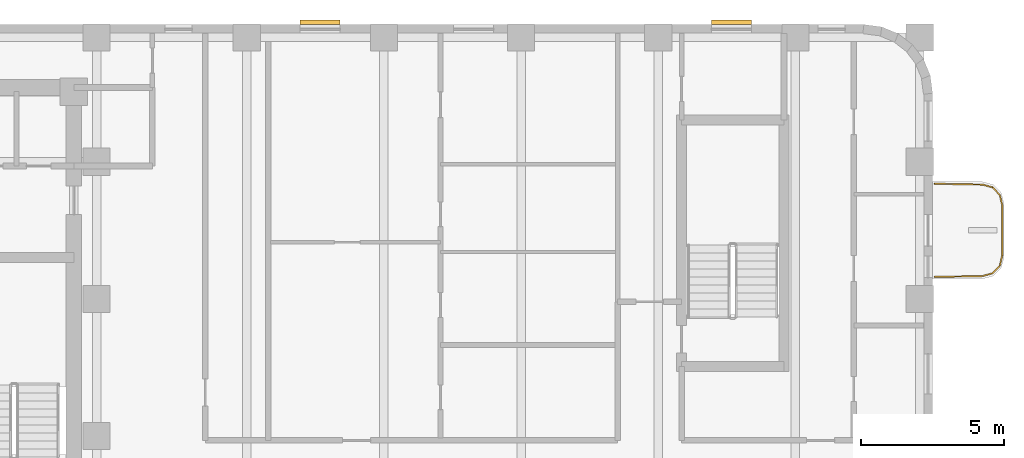
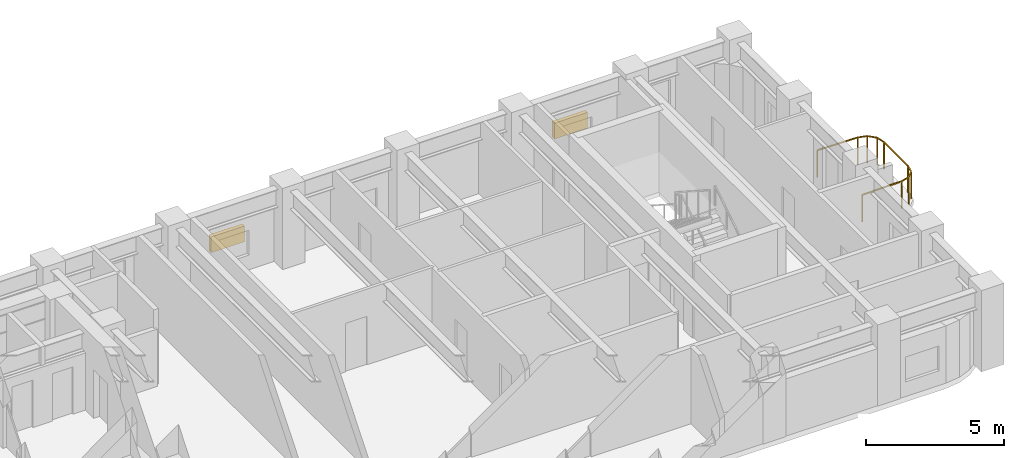
# One storey, part 10 of 10: 2 shading devices, 1 railing.
"""IFC4 building model written with IfcOpenShell, lengths in metres."""

from ifc_helpers import new_model, si_unit, direction, frame, origin, origin_2d, place, context, subcontext, project, spatial, rectangle, extrude, material, type_object, element, save


model = new_model("IFC4")

# Units and contexts
model_context = context("Model", 3, precision=1e-05, world=origin(), true_north=direction((0.0, 1.0)))
body_context = subcontext(model_context, "Body", "Model", "MODEL_VIEW")
ifc_project = project(units=[si_unit("LENGTHUNIT", "METRE"), si_unit("AREAUNIT", "SQUARE_METRE"), si_unit("VOLUMEUNIT", "CUBIC_METRE"), si_unit("PLANEANGLEUNIT", "RADIAN"), si_unit("MASSUNIT", "GRAM", prefix="KILO")], contexts=[model_context])

# Site, building, storey
site_placement = place(None, origin())
site = spatial("IfcSite", under=ifc_project, at=site_placement, CompositionType="ELEMENT")
building_placement = place(site_placement, origin())
building = spatial("IfcBuilding", under=site, at=building_placement, Name="Orvandelia Arch Residences", CompositionType="ELEMENT")
storey_placement = place(building_placement, frame((0.0, 0.0, 139.60009765625)))
storey = spatial("IfcBuildingStorey", under=building, at=storey_placement, Name="L36", CompositionType="ELEMENT", Elevation=139.60009765625)

# Railing
ifc_material_1 = material(Name="Marine-Grade Stainless Steel 316", Category="steel")
railing_type = type_object("IfcRailingType", Name="GRD-BAL-1200", PredefinedType="BALUSTRADE", material=ifc_material_1)
railing_placement = place(storey_placement, frame((52.871826171875, 39.169677734375, 0.0)))
element("IfcRailing", 1, at=railing_placement, inside=storey, type_object=railing_type, Name="Safety Balustrade Guard GRD-L36-BAL-L36-E1-1", PredefinedType="BALUSTRADE", context=body_context, shape_type="SweptSolid", body=[
    extrude(rectangle(XDim=0.048095703125, YDim=0.048095703125, at=origin_2d()), frame((0.0, 0.0, 1.19580078125), z_axis=(0.999837384468, 0.018033430643, 0.0), x_axis=(-0.018033430643, 0.999837384468, 0.0)), (0.0, 0.0, 1.0), 1.6787109375),
    extrude(rectangle(XDim=0.048095703125, YDim=0.048095703125, at=origin_2d()), frame((1.678466796875, 0.0302734375, 1.19580078125), z_axis=(0.96348920644, 0.267747173792, 0.0), x_axis=(-0.267747173792, 0.96348920644, 0.0)), (0.0, 0.0, 1.0), 0.36572265625),
    extrude(rectangle(XDim=0.048095703125, YDim=0.048095703125, at=origin_2d()), frame((2.03076171875, 0.128173828125, 1.19580078125), z_axis=(0.687947031175, 0.725760898848, 0.0), x_axis=(-0.725760898848, 0.687947031175, 0.0)), (0.0, 0.0, 1.0), 0.367919921875),
    extrude(rectangle(XDim=0.048095703125, YDim=0.048095703125, at=origin_2d()), frame((2.283935546875, 0.395263671875, 1.19580078125), z_axis=(0.221225034864, 0.975222786828, 0.0), x_axis=(-0.975222786828, 0.221225034864, 0.0)), (0.0, 0.0, 1.0), 0.373046875),
    extrude(rectangle(XDim=0.048095703125, YDim=0.048095703125, at=origin_2d()), frame((2.366455078125, 0.759033203125, 1.19580078125), z_axis=(0.0, 1.0, 0.0), x_axis=(-1.0, 0.0, 0.0)), (0.0, 0.0, 1.0), 1.74267578125),
    extrude(rectangle(XDim=0.048095703125, YDim=0.048095703125, at=origin_2d()), frame((2.366455078125, 2.501708984375, 1.19580078125), z_axis=(-0.221225034864, 0.975222786828, 0.0), x_axis=(-0.975222786828, -0.221225034864, 0.0)), (0.0, 0.0, 1.0), 0.373046875),
    extrude(rectangle(XDim=0.048095703125, YDim=0.048095703125, at=origin_2d()), frame((2.283935546875, 2.865478515625, 1.19580078125), z_axis=(-0.688278345278, 0.725446703364, 0.0), x_axis=(-0.725446703364, -0.688278345278, 0.0)), (0.0, 0.0, 1.0), 0.367919921875),
    extrude(rectangle(XDim=0.048095703125, YDim=0.048095703125, at=origin_2d()), frame((2.03076171875, 3.13232421875, 1.19580078125), z_axis=(-0.96348920644, 0.267747173792, 0.0), x_axis=(-0.267747173792, -0.96348920644, 0.0)), (0.0, 0.0, 1.0), 0.36572265625),
    extrude(rectangle(XDim=0.048095703125, YDim=0.048095703125, at=origin_2d()), frame((1.678466796875, 3.230224609375, 1.19580078125), z_axis=(-0.999834751713, 0.018178813668, 0.0), x_axis=(-0.018178813668, -0.999834751713, 0.0)), (0.0, 0.0, 1.0), 1.6787109375),
    extrude(rectangle(XDim=0.0419921875, YDim=0.0419921875, at=origin_2d()), origin(), (0.0, 0.0, 1.0), 1.171875),
    extrude(rectangle(XDim=0.0419921875, YDim=0.0419921875, at=origin_2d()), frame((1.678466796875, 0.0302734375, 0.0)), (0.0, 0.0, 1.0), 1.171875),
    extrude(rectangle(XDim=0.0419921875, YDim=0.0419921875, at=origin_2d()), frame((2.03076171875, 0.128173828125, 0.0)), (0.0, 0.0, 1.0), 1.171875),
    extrude(rectangle(XDim=0.0419921875, YDim=0.0419921875, at=origin_2d()), frame((2.283935546875, 0.395263671875, 0.0)), (0.0, 0.0, 1.0), 1.171875),
    extrude(rectangle(XDim=0.0419921875, YDim=0.0419921875, at=origin_2d()), frame((2.366455078125, 0.759033203125, 0.0)), (0.0, 0.0, 1.0), 1.171875),
    extrude(rectangle(XDim=0.0419921875, YDim=0.0419921875, at=origin_2d()), frame((2.366455078125, 2.501708984375, 0.0)), (0.0, 0.0, 1.0), 1.171875),
    extrude(rectangle(XDim=0.0419921875, YDim=0.0419921875, at=origin_2d()), frame((2.283935546875, 2.865478515625, 0.0)), (0.0, 0.0, 1.0), 1.171875),
    extrude(rectangle(XDim=0.0419921875, YDim=0.0419921875, at=origin_2d()), frame((2.03076171875, 3.13232421875, 0.0)), (0.0, 0.0, 1.0), 1.171875),
    extrude(rectangle(XDim=0.0419921875, YDim=0.0419921875, at=origin_2d()), frame((1.678466796875, 3.230224609375, 0.0)), (0.0, 0.0, 1.0), 1.171875),
    extrude(rectangle(XDim=0.0419921875, YDim=0.0419921875, at=origin_2d()), frame((0.0, 3.2607421875, 0.0)), (0.0, 0.0, 1.0), 1.171875),
])

# Shading devices
ifc_material_2 = material(Name="Anodised Champagne-Bronze Extruded Aluminium", Category="aluminium")
shading_device_type = type_object("IfcShadingDeviceType", Name="SHD-JALOUSIE-SCREEN", PredefinedType="JALOUSIE", material=ifc_material_2)
for number, where, z_axis, x_axis, name in (
    (2, (45.762451171875, 48.080078125, 1.0498046875), (0.0, 0.0, 1.0), (1.0, 0.0, 0.0), "Bronze Jalousie Sun-Shade L36-001"),
    (3, (31.367431640625, 48.080078125, 1.0498046875), (0.0, 0.0, 1.0), (1.0, 0.0, 0.0), "Bronze Jalousie Sun-Shade L36-002"),
):
    element("IfcShadingDevice", number, at=place(storey_placement, frame(where, z_axis=z_axis, x_axis=x_axis)), inside=storey, type_object=shading_device_type, Name=name, PredefinedType="JALOUSIE", context=body_context, shape_type="SweptSolid", body=[
        extrude(rectangle(XDim=1.39990234375, YDim=0.159912109375, at=origin_2d()), origin(), (0.0, 0.0, 1.0), 0.699951171875),
    ])

save(model, "model.ifc")
